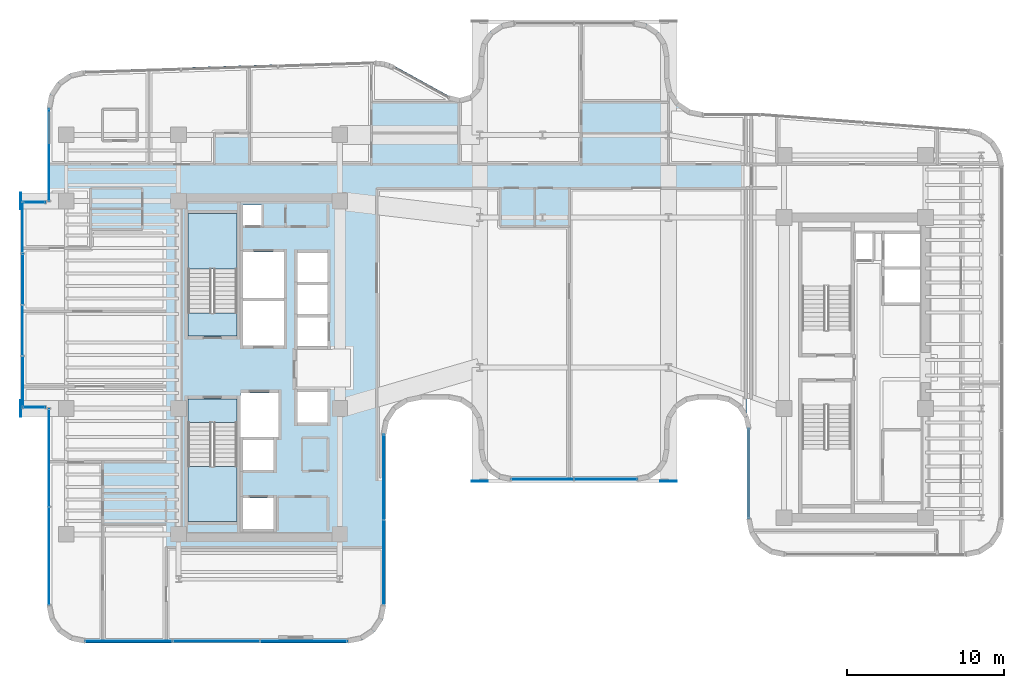
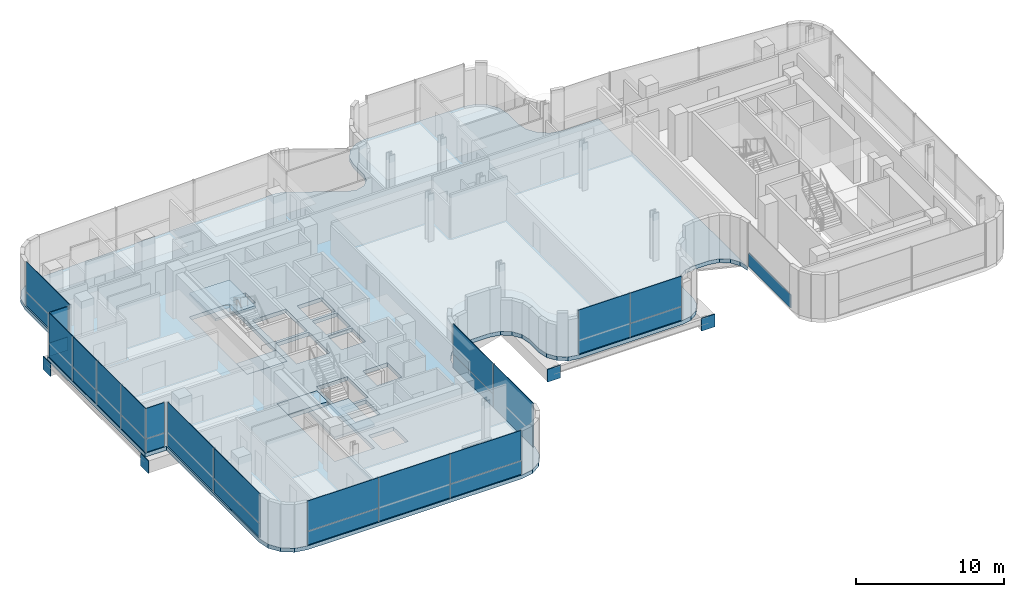
# One storey, part 24 of 38: 31 plates, 5 slabs, 11 elements without a shape of their own.
"""IFC4 building model written with IfcOpenShell, lengths in metres."""

from ifc_helpers import new_model, si_unit, direction, frame, origin, origin_2d, place, context, subcontext, project, spatial, polyline, rectangle, outline, extrude, source, transform, mapped, material, layer, layer_set, type_object, element, aggregate, save


model = new_model("IFC4")

# Units and contexts
model_context = context("Model", 3, precision=1e-05, world=origin(), true_north=direction((0.0, 1.0)))
body_context = subcontext(model_context, "Body", "Model", "MODEL_VIEW")
ifc_project = project(units=[si_unit("LENGTHUNIT", "METRE"), si_unit("AREAUNIT", "SQUARE_METRE"), si_unit("VOLUMEUNIT", "CUBIC_METRE"), si_unit("PLANEANGLEUNIT", "RADIAN"), si_unit("MASSUNIT", "GRAM", prefix="KILO")], contexts=[model_context])

# Site, building, storey
site_placement = place(None, origin())
site = spatial("IfcSite", under=ifc_project, at=site_placement, CompositionType="ELEMENT")
building_placement = place(site_placement, origin())
building = spatial("IfcBuilding", under=site, at=building_placement, Name="Valdorenza Pilgrim Sanctuary Tower", CompositionType="ELEMENT")
storey_placement = place(building_placement, frame((0.0, 0.0, 180.5)))
storey = spatial("IfcBuildingStorey", under=building, at=storey_placement, Name="L46", CompositionType="ELEMENT", Elevation=180.5)

# Slab
ifc_material_1 = material(Name="Concrete C40/50", Category="concrete")
ifc_layer_1 = layer(ifc_material_1, 0.320068359375, Name="Concrete C40/50")
ifc_layer_set_1 = layer_set([ifc_layer_1], Name="Concrete C40/50")
slab_type_1 = type_object("IfcSlabType", Name="SLAB-PRY-320", PredefinedType="FLOOR", material=ifc_layer_set_1)
slab_1_placement = place(storey_placement, frame((0.0, 0.0, -0.320068359375)))
element("IfcSlab", 1, at=slab_1_placement, inside=storey, type_object=slab_type_1, Name="L46 Structural Floor Slab 1", PredefinedType="FLOOR", context=body_context, shape_type="SweptSolid", body=[
    extrude(outline(polyline([(-30.324462890625, 18.14599609375), (-29.572265625, 18.671142578125), (-28.677978515625, 18.87548828125), (-10.157958984375, 19.478515625), (-9.837158203125, 19.467529296875), (-9.520751953125, 19.413818359375), (-9.214111328125, 19.318359375), (-8.923095703125, 19.182861328125), (-5.43115234375, 17.26220703125), (-4.782958984375, 17.10107421875), (-4.139892578125, 17.2822265625), (-3.671142578125, 17.75830078125), (-3.5, 18.404052734375), (-3.5, 19.7958984375), (-3.332275390625, 20.639404296875), (-2.8544921875, 21.3544921875), (-2.139404296875, 21.832275390625), (-1.2958984375, 22.0), (6.2958984375, 22.0), (7.139404296875, 21.832275390625), (7.8544921875, 21.3544921875), (8.332275390625, 20.639404296875), (8.5, 19.7958984375), (8.5, 18.404052734375), (8.667724609375, 17.560546875), (9.1455078125, 16.845458984375), (9.860595703125, 16.367919921875), (10.7041015625, 16.199951171875), (13.5, 16.199951171875), (13.5, -3.89990234375), (13.35546875, -3.1728515625), (12.943603515625, -2.556396484375), (12.3271484375, -2.14453125), (11.60009765625, -2.0), (10.39990234375, -2.0), (9.6728515625, -2.14453125), (9.056396484375, -2.556396484375), (8.64453125, -3.1728515625), (8.5, -3.89990234375), (8.5, -5.22412109375), (8.349609375, -5.980224609375), (7.921142578125, -6.62109375), (7.2802734375, -7.049560546875), (6.52392578125, -7.199951171875), (-1.52392578125, -7.199951171875), (-2.2802734375, -7.049560546875), (-2.921142578125, -6.62109375), (-3.349609375, -5.980224609375), (-3.5, -5.22412109375), (-3.5, -3.97607421875), (-3.650390625, -3.2197265625), (-4.078857421875, -2.578857421875), (-4.7197265625, -2.150390625), (-5.47607421875, -2.0), (-7.219970703125, -2.0), (-8.092529296875, -2.173583984375), (-8.832275390625, -2.667724609375), (-9.326416015625, -3.407470703125), (-9.5, -4.280029296875), (-9.5, -15.10009765625), (-9.6826171875, -16.018310546875), (-10.202880859375, -16.797119140625), (-10.981689453125, -17.3173828125), (-11.89990234375, -17.5), (-28.60009765625, -17.5), (-29.518310546875, -17.3173828125), (-30.297119140625, -16.797119140625), (-30.8173828125, -16.018310546875), (-31.0, -15.10009765625), (-31.0, -2.60009765625), (-32.64990234375, -2.60009765625), (-32.64990234375, 10.60009765625), (-31.0, 10.60009765625), (-31.0, 16.476806640625), (-30.82470703125, 17.377197265625), (-30.324462890625, 18.14599609375)]), holes=[polyline([(-16.60009765625, -10.25), (-16.60009765625, -8.300048828125), (-18.550048828125, -8.300048828125), (-18.550048828125, -10.25), (-16.60009765625, -10.25)]), polyline([(-22.050048828125, -9.800048828125), (-18.93994140625, -9.800048828125), (-18.93994140625, -3.485107421875), (-18.93994140625, -2.0), (-22.050048828125, -2.0), (-22.050048828125, -3.485107421875), (-22.050048828125, -9.800048828125)]), polyline([(-16.60009765625, -6.5), (-16.60009765625, -4.60009765625), (-18.550048828125, -4.60009765625), (-18.550048828125, -6.5), (-16.60009765625, -6.5)]), polyline([(-18.719970703125, -4.39990234375), (-16.300048828125, -4.39990234375), (-16.300048828125, -1.60009765625), (-18.719970703125, -1.60009765625), (-18.719970703125, -4.39990234375)]), polyline([(-13.179931640625, 1.35009765625), (-13.179931640625, 3.199951171875), (-15.10009765625, 3.199951171875), (-15.10009765625, 1.35009765625), (-13.179931640625, 1.35009765625)]), polyline([(-22.050048828125, 2.0), (-18.93994140625, 2.0), (-18.93994140625, 3.485107421875), (-18.93994140625, 9.800048828125), (-22.050048828125, 9.800048828125), (-22.050048828125, 3.485107421875), (-22.050048828125, 2.0)]), polyline([(-15.949951171875, 1.39990234375), (-15.949951171875, 4.22509765625), (-18.550048828125, 4.22509765625), (-18.550048828125, 1.39990234375), (-15.949951171875, 1.39990234375)]), polyline([(-18.550048828125, 4.425048828125), (-15.949951171875, 4.425048828125), (-15.949951171875, 7.35009765625), (-18.550048828125, 7.35009765625), (-18.550048828125, 4.425048828125)]), polyline([(-17.360107421875, 9.030029296875), (-17.360107421875, 10.35009765625), (-18.570068359375, 10.35009765625), (-18.570068359375, 9.030029296875), (-17.360107421875, 9.030029296875)]), polyline([(-13.179931640625, -3.5), (-13.179931640625, -1.550048828125), (-15.10009765625, -1.550048828125), (-15.10009765625, -3.5), (-13.179931640625, -3.5)]), polyline([(-13.179931640625, 3.39990234375), (-13.179931640625, 5.25), (-15.10009765625, 5.25), (-15.10009765625, 3.39990234375), (-13.179931640625, 3.39990234375)]), polyline([(-13.179931640625, 5.449951171875), (-13.179931640625, 7.300048828125), (-15.10009765625, 7.300048828125), (-15.10009765625, 5.449951171875), (-13.179931640625, 5.449951171875)])]), origin(), (0.0, 0.0, 1.0), 0.320068359375),
])

# Stair, slab
stair_type = type_object("IfcStairType", Name="STR-DOG-CORE", PredefinedType="HALF_TURN_STAIR", material=ifc_material_1)
stair_1_placement = place(storey_placement, origin())
stair_1 = element("IfcStair", 2, at=stair_1_placement, inside=storey, type_object=stair_type, Name="L46 ST-A1", PredefinedType="HALF_TURN_STAIR")
ifc_layer_2 = layer(ifc_material_1, 0.199951171875, Name="Concrete C40/50")
ifc_layer_set_2 = layer_set([ifc_layer_2], Name="Concrete C40/50")
slab_type_2 = type_object("IfcSlabType", Name="SLAB-STL-200", PredefinedType="LANDING", material=ifc_layer_set_2)
slab_2_placement = place(storey_placement, frame((0.0, 0.0, 1.77490234375)))
slab_2 = element("IfcSlab", 3, at=slab_2_placement, type_object=slab_type_2, Name="ST-A1 landing 1", PredefinedType="LANDING", context=body_context, shape_type="SweptSolid", body=[
    extrude(outline(polyline([(-18.93994140625, 6.280029296875), (-18.93994140625, 9.800048828125), (-22.050048828125, 9.800048828125), (-22.050048828125, 6.280029296875), (-18.93994140625, 6.280029296875)])), origin(), (0.0, 0.0, 1.0), 0.2001953125),
])
aggregate(stair_1, [slab_2])

stair_2_placement = place(storey_placement, origin())
stair_2 = element("IfcStair", 4, at=stair_2_placement, inside=storey, type_object=stair_type, Name="L46 ST-A2", PredefinedType="HALF_TURN_STAIR")
slab_3_placement = place(storey_placement, frame((0.0, 0.0, 1.77490234375)))
slab_3 = element("IfcSlab", 5, at=slab_3_placement, type_object=slab_type_2, Name="ST-A2 landing 1", PredefinedType="LANDING", context=body_context, shape_type="SweptSolid", body=[
    extrude(outline(polyline([(-22.050048828125, -6.280029296875), (-22.050048828125, -9.800048828125), (-18.93994140625, -9.800048828125), (-18.93994140625, -6.280029296875), (-22.050048828125, -6.280029296875)])), origin(), (0.0, 0.0, 1.0), 0.2001953125),
])
aggregate(stair_2, [slab_3])

# Slabs
ifc_material_2 = material(Name="Concrete C50/60", Category="concrete")
ifc_layer_3 = layer(ifc_material_2, 0.39990234375, Name="Concrete C50/60")
ifc_layer_set_3 = layer_set([ifc_layer_3], Name="Concrete C50/60")
slab_type_3 = type_object("IfcSlabType", Name="SLAB-TRF-400", PredefinedType="FLOOR", material=ifc_layer_set_3)
slab_4_placement = place(storey_placement, frame((0.0, 0.0, -0.360107421875)))
element("IfcSlab", 6, at=slab_4_placement, inside=storey, type_object=slab_type_3, Name="L46 ST-A1 Structural Stair Landing Bearing Slab", PredefinedType="FLOOR", context=body_context, shape_type="SweptSolid", body=[
    extrude(outline(polyline([(-22.050048828125, 2.0), (-18.93994140625, 2.0), (-18.93994140625, 3.485107421875), (-22.050048828125, 3.485107421875), (-22.050048828125, 2.0)])), origin(), (0.0, 0.0, 1.0), 0.360107421875),
])
slab_5_placement = place(storey_placement, frame((0.0, 0.0, -0.360107421875)))
element("IfcSlab", 7, at=slab_5_placement, inside=storey, type_object=slab_type_3, Name="L46 ST-A2 Structural Stair Landing Bearing Slab", PredefinedType="FLOOR", context=body_context, shape_type="SweptSolid", body=[
    extrude(outline(polyline([(-22.050048828125, -3.485107421875), (-18.93994140625, -3.485107421875), (-18.93994140625, -2.0), (-22.050048828125, -2.0), (-22.050048828125, -3.485107421875)])), origin(), (0.0, 0.0, 1.0), 0.360107421875),
])

# Plates
ifc_material_3 = material(Name="Steel ASTM A572 Grade 42", Category="steel")
ifc_layer_4 = layer(ifc_material_3, 0.06005859375, Name="Steel ASTM A572 Grade 42")
ifc_layer_set_4 = layer_set([ifc_layer_4], Name="Steel ASTM A572 Grade 42")
plate_type_1 = type_object("IfcPlateType", Name="PLT-CAP-60", PredefinedType="SHEET", material=ifc_layer_set_4)
shared_shape_1 = source(origin(), body_context, "Body", "SweptSolid", [
    extrude(rectangle(XDim=0.06005859375, YDim=1.0400390625, at=origin_2d()), origin(), (0.0, 0.0, 1.0), 1.0400390625),
])
for number, where, z_axis, x_axis, name in (
    (8, (-32.679931640625, 10.60009765625, -1.340087890625), (0.0, 0.0, 1.0), (1.0, 0.0, 0.0), "L46 BOX-WA-L46 Cantilever Tip End Cap N"),
    (9, (-32.679931640625, -2.60009765625, -1.340087890625), (0.0, 0.0, 1.0), (1.0, 0.0, 0.0), "L46 BOX-WA-L46 Cantilever Tip End Cap S"),
):
    element("IfcPlate", number, at=place(storey_placement, frame(where, z_axis=z_axis, x_axis=x_axis)), inside=storey, type_object=plate_type_1, Name=name, PredefinedType="SHEET", context=body_context, shape_type="MappedRepresentation", body=[
        mapped(shared_shape_1, transform((0.0, 0.0, 0.0), x_axis=(1.0, 0.0, 0.0), y_axis=(0.0, 1.0, 0.0), z_axis=(0.0, 0.0, 1.0), scale=1.0)),
    ])
shared_shape_2 = source(origin(), body_context, "Body", "SweptSolid", [
    extrude(rectangle(XDim=1.0400390625, YDim=0.06005859375, at=origin_2d()), origin(), (0.0, 0.0, 1.0), 1.0400390625),
])
for number, where, z_axis, x_axis, name in (
    (10, (-3.5, -7.22998046875, -1.340087890625), (0.0, 0.0, 1.0), (1.0, 0.0, 0.0), "L46 South Prow Cantilever End Cap W"),
    (11, (8.5, -7.22998046875, -1.340087890625), (0.0, 0.0, 1.0), (1.0, 0.0, 0.0), "L46 South Prow Cantilever End Cap E"),
):
    element("IfcPlate", number, at=place(storey_placement, frame(where, z_axis=z_axis, x_axis=x_axis)), inside=storey, type_object=plate_type_1, Name=name, PredefinedType="SHEET", context=body_context, shape_type="MappedRepresentation", body=[
        mapped(shared_shape_2, transform((0.0, 0.0, 0.0), x_axis=(1.0, 0.0, 0.0), y_axis=(0.0, 1.0, 0.0), z_axis=(0.0, 0.0, 1.0), scale=1.0)),
    ])

# Curtain wall, plate
ifc_material_4 = material(Name="Curtain-wall IGU glazing", Category="glass")
curtain_wall_type_1 = type_object("IfcCurtainWallType", Name="CW-SYS-05", PredefinedType="NOTDEFINED", material=ifc_material_4)
curtain_wall_1_placement = place(storey_placement, origin())
curtain_wall_1 = element("IfcCurtainWall", 12, at=curtain_wall_1_placement, inside=storey, type_object=curtain_wall_type_1, Name="L46 Curtain Wall CW-L46-1-47", PredefinedType="NOTDEFINED")
ifc_material_5 = material(Name="Honed travertine limestone", Category="masonry")
ifc_layer_5 = layer(ifc_material_5, 0.050048828125, Name="Honed travertine limestone")
ifc_layer_set_5 = layer_set([ifc_layer_5], Name="Honed travertine limestone")
plate_type_2 = type_object("IfcPlateType", Name="CW-SPN-TRV", PredefinedType="USERDEFINED", material=ifc_layer_set_5)
shared_shape_3 = source(origin(), body_context, "Body", "SweptSolid", [
    extrude(rectangle(XDim=5.679931640625, YDim=0.06005859375, at=origin_2d()), origin(), (0.0, 0.0, 1.0), 1.10009765625),
])
plate_1_placement = place(storey_placement, frame((13.610107421875, -6.7392578125, 0.010009765625), z_axis=(0.0, 0.0, 1.0), x_axis=(0.0, 1.0, 0.0)))
plate_1 = element("IfcPlate", 13, at=plate_1_placement, type_object=plate_type_2, Name="CW-L46-1-47 Travertine Spandrel 1", ObjectType="SPANDREL", PredefinedType="USERDEFINED", context=body_context, shape_type="MappedRepresentation", body=[
    mapped(shared_shape_3, transform((0.0, 0.0, 0.0), x_axis=(1.0, 0.0, 0.0), y_axis=(0.0, 1.0, 0.0), z_axis=(0.0, 0.0, 1.0), scale=1.0)),
])
aggregate(curtain_wall_1, [plate_1])

curtain_wall_type_2 = type_object("IfcCurtainWallType", Name="CW-SYS-02", PredefinedType="NOTDEFINED", material=ifc_material_4)
curtain_wall_2_placement = place(storey_placement, origin())
curtain_wall_2 = element("IfcCurtainWall", 14, at=curtain_wall_2_placement, inside=storey, type_object=curtain_wall_type_2, Name="L46 Curtain Wall CW-L46-BOX-WA-L46-S", PredefinedType="NOTDEFINED")
shared_shape_4 = source(origin(), body_context, "Body", "SweptSolid", [
    extrude(rectangle(XDim=1.43994140625, YDim=0.06005859375, at=origin_2d()), origin(), (0.0, 0.0, 1.0), 1.10009765625),
])
plate_2_placement = place(storey_placement, frame((-31.840087890625, -2.52001953125, 0.010009765625), z_axis=(0.0, 0.0, 1.0), x_axis=(-1.0, 0.0, 0.0)))
plate_2 = element("IfcPlate", 15, at=plate_2_placement, type_object=plate_type_2, Name="CW-L46-BOX-WA-L46-S Travertine Spandrel 1", ObjectType="SPANDREL", PredefinedType="USERDEFINED", context=body_context, shape_type="MappedRepresentation", body=[
    mapped(shared_shape_4, transform((0.0, 0.0, 0.0), x_axis=(1.0, 0.0, 0.0), y_axis=(0.0, 1.0, 0.0), z_axis=(0.0, 0.0, 1.0), scale=1.0)),
])

curtain_wall_3_placement = place(storey_placement, origin())
curtain_wall_3 = element("IfcCurtainWall", 16, at=curtain_wall_3_placement, inside=storey, type_object=curtain_wall_type_2, Name="L46 Curtain Wall CW-L46-BOX-WA-L46-N", PredefinedType="NOTDEFINED")
plate_3_placement = place(storey_placement, frame((-31.840087890625, 10.52001953125, 0.010009765625), z_axis=(0.0, 0.0, 1.0), x_axis=(1.0, 0.0, 0.0)))
plate_3 = element("IfcPlate", 17, at=plate_3_placement, type_object=plate_type_2, Name="CW-L46-BOX-WA-L46-N Travertine Spandrel 1", ObjectType="SPANDREL", PredefinedType="USERDEFINED", context=body_context, shape_type="MappedRepresentation", body=[
    mapped(shared_shape_4, transform((0.0, 0.0, 0.0), x_axis=(1.0, 0.0, 0.0), y_axis=(0.0, 1.0, 0.0), z_axis=(0.0, 0.0, 1.0), scale=1.0)),
])

# Curtain wall, plates
curtain_wall_4_placement = place(storey_placement, origin())
curtain_wall_4 = element("IfcCurtainWall", 18, at=curtain_wall_4_placement, inside=storey, type_object=curtain_wall_type_2, Name="L46 Curtain Wall CW-L46-BOX-WA-L46-F", PredefinedType="NOTDEFINED")
shared_shape_5 = source(origin(), body_context, "Body", "SweptSolid", [
    extrude(rectangle(XDim=3.239990234375, YDim=0.06005859375, at=origin_2d()), origin(), (0.0, 0.0, 1.0), 1.10009765625),
])
plate_4_placement = place(storey_placement, frame((-32.570068359375, -0.889892578125, 0.010009765625), z_axis=(0.0, 0.0, 1.0), x_axis=(0.0, 1.0, 0.0)))
plate_4 = element("IfcPlate", 19, at=plate_4_placement, type_object=plate_type_2, Name="CW-L46-BOX-WA-L46-F Travertine Spandrel 1", ObjectType="SPANDREL", PredefinedType="USERDEFINED", context=body_context, shape_type="MappedRepresentation", body=[
    mapped(shared_shape_5, transform((0.0, 0.0, 0.0), x_axis=(1.0, 0.0, 0.0), y_axis=(0.0, 1.0, 0.0), z_axis=(0.0, 0.0, 1.0), scale=1.0)),
])
plate_5_placement = place(storey_placement, frame((-32.570068359375, 5.6298828125, 0.010009765625), z_axis=(0.0, 0.0, 1.0), x_axis=(0.0, 1.0, 0.0)))
plate_5 = element("IfcPlate", 20, at=plate_5_placement, type_object=plate_type_2, Name="CW-L46-BOX-WA-L46-F Travertine Spandrel 3", ObjectType="SPANDREL", PredefinedType="USERDEFINED", context=body_context, shape_type="MappedRepresentation", body=[
    mapped(shared_shape_5, transform((0.0, 0.0, 0.0), x_axis=(1.0, 0.0, 0.0), y_axis=(0.0, 1.0, 0.0), z_axis=(0.0, 0.0, 1.0), scale=1.0)),
])

# Curtain wall, plate
curtain_wall_5_placement = place(storey_placement, origin())
curtain_wall_5 = element("IfcCurtainWall", 21, at=curtain_wall_5_placement, inside=storey, type_object=curtain_wall_type_2, Name="L46 Curtain Wall CW-L46-1-1S1", PredefinedType="NOTDEFINED")
shared_shape_6 = source(origin(), body_context, "Body", "SweptSolid", [
    extrude(rectangle(XDim=6.224609375, YDim=0.06005859375, at=origin_2d()), origin(), (0.0, 0.0, 1.0), 1.10009765625),
])
plate_6_placement = place(storey_placement, frame((-30.889892578125, -11.966796875, 0.010009765625), z_axis=(0.0, 0.0, 1.0), x_axis=(0.0, 1.0, 0.0)))
plate_6 = element("IfcPlate", 22, at=plate_6_placement, type_object=plate_type_2, Name="CW-L46-1-1S1 Travertine Spandrel 1", ObjectType="SPANDREL", PredefinedType="USERDEFINED", context=body_context, shape_type="MappedRepresentation", body=[
    mapped(shared_shape_6, transform((0.0, 0.0, 0.0), x_axis=(1.0, 0.0, 0.0), y_axis=(0.0, 1.0, 0.0), z_axis=(0.0, 0.0, 1.0), scale=1.0)),
])

curtain_wall_6_placement = place(storey_placement, origin())
curtain_wall_6 = element("IfcCurtainWall", 23, at=curtain_wall_6_placement, inside=storey, type_object=curtain_wall_type_2, Name="L46 Curtain Wall CW-L46-1-1S2", PredefinedType="NOTDEFINED")
shared_shape_7 = source(origin(), body_context, "Body", "SweptSolid", [
    extrude(rectangle(XDim=5.84619140625, YDim=0.06005859375, at=origin_2d()), origin(), (0.0, 0.0, 1.0), 1.10009765625),
])
plate_7_placement = place(storey_placement, frame((-30.889892578125, 13.533203125, 0.010009765625), z_axis=(0.0, 0.0, 1.0), x_axis=(0.0, 1.0, 0.0)))
plate_7 = element("IfcPlate", 24, at=plate_7_placement, type_object=plate_type_2, Name="CW-L46-1-1S2 Travertine Spandrel 1", ObjectType="SPANDREL", PredefinedType="USERDEFINED", context=body_context, shape_type="MappedRepresentation", body=[
    mapped(shared_shape_7, transform((0.0, 0.0, 0.0), x_axis=(1.0, 0.0, 0.0), y_axis=(0.0, 1.0, 0.0), z_axis=(0.0, 0.0, 1.0), scale=1.0)),
])

curtain_wall_7_placement = place(storey_placement, origin())
curtain_wall_7 = element("IfcCurtainWall", 25, at=curtain_wall_7_placement, inside=storey, type_object=curtain_wall_type_1, Name="L46 Curtain Wall CW-L46-1-62", PredefinedType="NOTDEFINED")
shared_shape_8 = source(origin(), body_context, "Body", "SweptSolid", [
    extrude(rectangle(XDim=3.9931640625, YDim=0.06005859375, at=origin_2d()), origin(), (0.0, 0.0, 1.0), 1.10009765625),
])
plate_8_placement = place(storey_placement, frame((4.506591796875, -7.090087890625, 0.010009765625), z_axis=(0.0, 0.0, 1.0), x_axis=(-1.0, 0.0, 0.0)))
plate_8 = element("IfcPlate", 26, at=plate_8_placement, type_object=plate_type_2, Name="CW-L46-1-62 Travertine Spandrel 1", ObjectType="SPANDREL", PredefinedType="USERDEFINED", context=body_context, shape_type="MappedRepresentation", body=[
    mapped(shared_shape_8, transform((0.0, 0.0, 0.0), x_axis=(1.0, 0.0, 0.0), y_axis=(0.0, 1.0, 0.0), z_axis=(0.0, 0.0, 1.0), scale=1.0)),
])

curtain_wall_8_placement = place(storey_placement, origin())
curtain_wall_8 = element("IfcCurtainWall", 27, at=curtain_wall_8_placement, inside=storey, type_object=curtain_wall_type_1, Name="L46 Curtain Wall CW-L46-1-77", PredefinedType="NOTDEFINED")
shared_shape_9 = source(origin(), body_context, "Body", "SweptSolid", [
    extrude(rectangle(XDim=5.389892578125, YDim=0.06005859375, at=origin_2d()), origin(), (0.0, 0.0, 1.0), 1.10009765625),
])
plate_9_placement = place(storey_placement, frame((-9.610107421875, -6.97412109375, 0.010009765625), z_axis=(0.0, 0.0, 1.0), x_axis=(0.0, -1.0, 0.0)))
plate_9 = element("IfcPlate", 28, at=plate_9_placement, type_object=plate_type_2, Name="CW-L46-1-77 Travertine Spandrel 1", ObjectType="SPANDREL", PredefinedType="USERDEFINED", context=body_context, shape_type="MappedRepresentation", body=[
    mapped(shared_shape_9, transform((0.0, 0.0, 0.0), x_axis=(1.0, 0.0, 0.0), y_axis=(0.0, 1.0, 0.0), z_axis=(0.0, 0.0, 1.0), scale=1.0)),
])

# Curtain wall, plates
curtain_wall_9_placement = place(storey_placement, origin())
curtain_wall_9 = element("IfcCurtainWall", 29, at=curtain_wall_9_placement, inside=storey, type_object=curtain_wall_type_2, Name="L46 Curtain Wall CW-L46-1-82", PredefinedType="NOTDEFINED")
shared_shape_10 = source(origin(), body_context, "Body", "SweptSolid", [
    extrude(rectangle(XDim=5.53955078125, YDim=0.06005859375, at=origin_2d()), origin(), (0.0, 0.0, 1.0), 1.10009765625),
])
plate_10_placement = place(storey_placement, frame((-14.6904296875, -17.389892578125, 0.010009765625), z_axis=(0.0, 0.0, 1.0), x_axis=(-1.0, 0.0, 0.0)))
plate_10 = element("IfcPlate", 30, at=plate_10_placement, type_object=plate_type_2, Name="CW-L46-1-82 Travertine Spandrel 1", ObjectType="SPANDREL", PredefinedType="USERDEFINED", context=body_context, shape_type="MappedRepresentation", body=[
    mapped(shared_shape_10, transform((0.0, 0.0, 0.0), x_axis=(1.0, 0.0, 0.0), y_axis=(0.0, 1.0, 0.0), z_axis=(0.0, 0.0, 1.0), scale=1.0)),
])
plate_11_placement = place(storey_placement, frame((-25.8095703125, -17.389892578125, 0.010009765625), z_axis=(0.0, 0.0, 1.0), x_axis=(-1.0, 0.0, 0.0)))
plate_11 = element("IfcPlate", 31, at=plate_11_placement, type_object=plate_type_2, Name="CW-L46-1-82 Travertine Spandrel 3", ObjectType="SPANDREL", PredefinedType="USERDEFINED", context=body_context, shape_type="MappedRepresentation", body=[
    mapped(shared_shape_10, transform((0.0, 0.0, 0.0), x_axis=(1.0, 0.0, 0.0), y_axis=(0.0, 1.0, 0.0), z_axis=(0.0, 0.0, 1.0), scale=1.0)),
])

# Plate
ifc_material_6 = material(Name="Ceramic-fritted low-E IGU glazing", Category="glass")
ifc_layer_6 = layer(ifc_material_6, 0.035888671875, Name="Ceramic-fritted low-E IGU glazing")
ifc_layer_set_6 = layer_set([ifc_layer_6], Name="Ceramic-fritted low-E IGU glazing")
plate_type_3 = type_object("IfcPlateType", Name="CW-GLZ-IGU", PredefinedType="USERDEFINED", material=ifc_layer_set_6)
shared_shape_11 = source(origin(), body_context, "Body", "SweptSolid", [
    extrude(rectangle(XDim=6.224609375, YDim=0.050048828125, at=origin_2d()), origin(), (0.0, 0.0, 1.0), 2.489990234375),
])
plate_12_placement = place(storey_placement, frame((-30.889892578125, -11.966796875, 1.1298828125), z_axis=(0.0, 0.0, 1.0), x_axis=(0.0, 1.0, 0.0)))
plate_12 = element("IfcPlate", 32, at=plate_12_placement, type_object=plate_type_3, Name="CW-L46-1-1S1 Facade Panel 1", ObjectType="GLAZING", PredefinedType="USERDEFINED", context=body_context, shape_type="MappedRepresentation", body=[
    mapped(shared_shape_11, transform((0.0, 0.0, 0.0), x_axis=(1.0, 0.0, 0.0), y_axis=(0.0, 1.0, 0.0), z_axis=(0.0, 0.0, 1.0), scale=1.0)),
])

shared_shape_12 = source(origin(), body_context, "Body", "SweptSolid", [
    extrude(rectangle(XDim=6.224609375, YDim=0.050048828125, at=origin_2d()), origin(), (0.0, 0.0, 1.0), 3.610107421875),
])
plate_13_placement = place(storey_placement, frame((-30.889892578125, -5.722412109375, 0.009765625), z_axis=(0.0, 0.0, 1.0), x_axis=(0.0, 1.0, 0.0)))
plate_13 = element("IfcPlate", 33, at=plate_13_placement, type_object=plate_type_3, Name="CW-L46-1-1S1 Full-Height Facade Panel 2", ObjectType="GLAZING", PredefinedType="USERDEFINED", context=body_context, shape_type="MappedRepresentation", body=[
    mapped(shared_shape_12, transform((0.0, 0.0, 0.0), x_axis=(1.0, 0.0, 0.0), y_axis=(0.0, 1.0, 0.0), z_axis=(0.0, 0.0, 1.0), scale=1.0)),
])

aggregate(curtain_wall_5, [plate_6, plate_12, plate_13])

shared_shape_13 = source(origin(), body_context, "Body", "SweptSolid", [
    extrude(rectangle(XDim=5.84619140625, YDim=0.050048828125, at=origin_2d()), origin(), (0.0, 0.0, 1.0), 2.489990234375),
])
plate_14_placement = place(storey_placement, frame((-30.889892578125, 13.533203125, 1.1298828125), z_axis=(0.0, 0.0, 1.0), x_axis=(0.0, 1.0, 0.0)))
plate_14 = element("IfcPlate", 34, at=plate_14_placement, type_object=plate_type_3, Name="CW-L46-1-1S2 Facade Panel 1", ObjectType="GLAZING", PredefinedType="USERDEFINED", context=body_context, shape_type="MappedRepresentation", body=[
    mapped(shared_shape_13, transform((0.0, 0.0, 0.0), x_axis=(1.0, 0.0, 0.0), y_axis=(0.0, 1.0, 0.0), z_axis=(0.0, 0.0, 1.0), scale=1.0)),
])

aggregate(curtain_wall_6, [plate_7, plate_14])

shared_shape_14 = source(origin(), body_context, "Body", "SweptSolid", [
    extrude(rectangle(XDim=3.9931640625, YDim=0.050048828125, at=origin_2d()), origin(), (0.0, 0.0, 1.0), 2.489990234375),
])
plate_15_placement = place(storey_placement, frame((4.506591796875, -7.090087890625, 1.1298828125), z_axis=(0.0, 0.0, 1.0), x_axis=(-1.0, 0.0, 0.0)))
plate_15 = element("IfcPlate", 35, at=plate_15_placement, type_object=plate_type_3, Name="CW-L46-1-62 Facade Panel 1", ObjectType="GLAZING", PredefinedType="USERDEFINED", context=body_context, shape_type="MappedRepresentation", body=[
    mapped(shared_shape_14, transform((0.0, 0.0, 0.0), x_axis=(1.0, 0.0, 0.0), y_axis=(0.0, 1.0, 0.0), z_axis=(0.0, 0.0, 1.0), scale=1.0)),
])

shared_shape_15 = source(origin(), body_context, "Body", "SweptSolid", [
    extrude(rectangle(XDim=3.9931640625, YDim=0.050048828125, at=origin_2d()), origin(), (0.0, 0.0, 1.0), 3.610107421875),
])
plate_16_placement = place(storey_placement, frame((0.493408203125, -7.090087890625, 0.009765625), z_axis=(0.0, 0.0, 1.0), x_axis=(-1.0, 0.0, 0.0)))
plate_16 = element("IfcPlate", 36, at=plate_16_placement, type_object=plate_type_3, Name="CW-L46-1-62 Full-Height Facade Panel 2", ObjectType="GLAZING", PredefinedType="USERDEFINED", context=body_context, shape_type="MappedRepresentation", body=[
    mapped(shared_shape_15, transform((0.0, 0.0, 0.0), x_axis=(1.0, 0.0, 0.0), y_axis=(0.0, 1.0, 0.0), z_axis=(0.0, 0.0, 1.0), scale=1.0)),
])

aggregate(curtain_wall_7, [plate_8, plate_15, plate_16])

shared_shape_16 = source(origin(), body_context, "Body", "SweptSolid", [
    extrude(rectangle(XDim=5.389892578125, YDim=0.050048828125, at=origin_2d()), origin(), (0.0, 0.0, 1.0), 2.489990234375),
])
plate_17_placement = place(storey_placement, frame((-9.610107421875, -6.97412109375, 1.1298828125), z_axis=(0.0, 0.0, 1.0), x_axis=(0.0, -1.0, 0.0)))
plate_17 = element("IfcPlate", 37, at=plate_17_placement, type_object=plate_type_3, Name="CW-L46-1-77 Facade Panel 1", ObjectType="GLAZING", PredefinedType="USERDEFINED", context=body_context, shape_type="MappedRepresentation", body=[
    mapped(shared_shape_16, transform((0.0, 0.0, 0.0), x_axis=(1.0, 0.0, 0.0), y_axis=(0.0, 1.0, 0.0), z_axis=(0.0, 0.0, 1.0), scale=1.0)),
])

shared_shape_17 = source(origin(), body_context, "Body", "SweptSolid", [
    extrude(rectangle(XDim=5.389892578125, YDim=0.050048828125, at=origin_2d()), origin(), (0.0, 0.0, 1.0), 3.610107421875),
])
plate_18_placement = place(storey_placement, frame((-9.610107421875, -12.38427734375, 0.009765625), z_axis=(0.0, 0.0, 1.0), x_axis=(0.0, -1.0, 0.0)))
plate_18 = element("IfcPlate", 38, at=plate_18_placement, type_object=plate_type_3, Name="CW-L46-1-77 Full-Height Facade Panel 2", ObjectType="GLAZING", PredefinedType="USERDEFINED", context=body_context, shape_type="MappedRepresentation", body=[
    mapped(shared_shape_17, transform((0.0, 0.0, 0.0), x_axis=(1.0, 0.0, 0.0), y_axis=(0.0, 1.0, 0.0), z_axis=(0.0, 0.0, 1.0), scale=1.0)),
])

aggregate(curtain_wall_8, [plate_9, plate_17, plate_18])

shared_shape_18 = source(origin(), body_context, "Body", "SweptSolid", [
    extrude(rectangle(XDim=5.53955078125, YDim=0.050048828125, at=origin_2d()), origin(), (0.0, 0.0, 1.0), 2.489990234375),
])
plate_19_placement = place(storey_placement, frame((-14.6904296875, -17.389892578125, 1.1298828125), z_axis=(0.0, 0.0, 1.0), x_axis=(-1.0, 0.0, 0.0)))
plate_19 = element("IfcPlate", 39, at=plate_19_placement, type_object=plate_type_3, Name="CW-L46-1-82 Facade Panel 1", ObjectType="GLAZING", PredefinedType="USERDEFINED", context=body_context, shape_type="MappedRepresentation", body=[
    mapped(shared_shape_18, transform((0.0, 0.0, 0.0), x_axis=(1.0, 0.0, 0.0), y_axis=(0.0, 1.0, 0.0), z_axis=(0.0, 0.0, 1.0), scale=1.0)),
])

plate_20_placement = place(storey_placement, frame((-25.8095703125, -17.389892578125, 1.1298828125), z_axis=(0.0, 0.0, 1.0), x_axis=(-1.0, 0.0, 0.0)))
plate_20 = element("IfcPlate", 40, at=plate_20_placement, type_object=plate_type_3, Name="CW-L46-1-82 Facade Panel 3", ObjectType="GLAZING", PredefinedType="USERDEFINED", context=body_context, shape_type="MappedRepresentation", body=[
    mapped(shared_shape_18, transform((0.0, 0.0, 0.0), x_axis=(1.0, 0.0, 0.0), y_axis=(0.0, 1.0, 0.0), z_axis=(0.0, 0.0, 1.0), scale=1.0)),
])

shared_shape_19 = source(origin(), body_context, "Body", "SweptSolid", [
    extrude(rectangle(XDim=5.53955078125, YDim=0.050048828125, at=origin_2d()), origin(), (0.0, 0.0, 1.0), 3.610107421875),
])
plate_21_placement = place(storey_placement, frame((-20.25, -17.389892578125, 0.009765625), z_axis=(0.0, 0.0, 1.0), x_axis=(-1.0, 0.0, 0.0)))
plate_21 = element("IfcPlate", 41, at=plate_21_placement, type_object=plate_type_3, Name="CW-L46-1-82 Full-Height Facade Panel 2", ObjectType="GLAZING", PredefinedType="USERDEFINED", context=body_context, shape_type="MappedRepresentation", body=[
    mapped(shared_shape_19, transform((0.0, 0.0, 0.0), x_axis=(1.0, 0.0, 0.0), y_axis=(0.0, 1.0, 0.0), z_axis=(0.0, 0.0, 1.0), scale=1.0)),
])

aggregate(curtain_wall_9, [plate_10, plate_19, plate_21, plate_11, plate_20])

shared_shape_20 = source(origin(), body_context, "Body", "SweptSolid", [
    extrude(rectangle(XDim=1.43994140625, YDim=0.050048828125, at=origin_2d()), origin(), (0.0, 0.0, 1.0), 2.489990234375),
])
plate_22_placement = place(storey_placement, frame((-31.840087890625, -2.52001953125, 1.1298828125), z_axis=(0.0, 0.0, 1.0), x_axis=(-1.0, 0.0, 0.0)))
plate_22 = element("IfcPlate", 42, at=plate_22_placement, type_object=plate_type_3, Name="CW-L46-BOX-WA-L46-S Facade Panel 1", ObjectType="GLAZING", PredefinedType="USERDEFINED", context=body_context, shape_type="MappedRepresentation", body=[
    mapped(shared_shape_20, transform((0.0, 0.0, 0.0), x_axis=(1.0, 0.0, 0.0), y_axis=(0.0, 1.0, 0.0), z_axis=(0.0, 0.0, 1.0), scale=1.0)),
])

aggregate(curtain_wall_2, [plate_2, plate_22])

plate_23_placement = place(storey_placement, frame((-31.840087890625, 10.52001953125, 1.1298828125), z_axis=(0.0, 0.0, 1.0), x_axis=(1.0, 0.0, 0.0)))
plate_23 = element("IfcPlate", 43, at=plate_23_placement, type_object=plate_type_3, Name="CW-L46-BOX-WA-L46-N Facade Panel 1", ObjectType="GLAZING", PredefinedType="USERDEFINED", context=body_context, shape_type="MappedRepresentation", body=[
    mapped(shared_shape_20, transform((0.0, 0.0, 0.0), x_axis=(1.0, 0.0, 0.0), y_axis=(0.0, 1.0, 0.0), z_axis=(0.0, 0.0, 1.0), scale=1.0)),
])

aggregate(curtain_wall_3, [plate_3, plate_23])

shared_shape_21 = source(origin(), body_context, "Body", "SweptSolid", [
    extrude(rectangle(XDim=3.239990234375, YDim=0.050048828125, at=origin_2d()), origin(), (0.0, 0.0, 1.0), 2.489990234375),
])
plate_24_placement = place(storey_placement, frame((-32.570068359375, -0.889892578125, 1.1298828125), z_axis=(0.0, 0.0, 1.0), x_axis=(0.0, 1.0, 0.0)))
plate_24 = element("IfcPlate", 44, at=plate_24_placement, type_object=plate_type_3, Name="CW-L46-BOX-WA-L46-F Facade Panel 1", ObjectType="GLAZING", PredefinedType="USERDEFINED", context=body_context, shape_type="MappedRepresentation", body=[
    mapped(shared_shape_21, transform((0.0, 0.0, 0.0), x_axis=(1.0, 0.0, 0.0), y_axis=(0.0, 1.0, 0.0), z_axis=(0.0, 0.0, 1.0), scale=1.0)),
])

plate_25_placement = place(storey_placement, frame((-32.570068359375, 5.6298828125, 1.1298828125), z_axis=(0.0, 0.0, 1.0), x_axis=(0.0, 1.0, 0.0)))
plate_25 = element("IfcPlate", 45, at=plate_25_placement, type_object=plate_type_3, Name="CW-L46-BOX-WA-L46-F Facade Panel 3", ObjectType="GLAZING", PredefinedType="USERDEFINED", context=body_context, shape_type="MappedRepresentation", body=[
    mapped(shared_shape_21, transform((0.0, 0.0, 0.0), x_axis=(1.0, 0.0, 0.0), y_axis=(0.0, 1.0, 0.0), z_axis=(0.0, 0.0, 1.0), scale=1.0)),
])

shared_shape_22 = source(origin(), body_context, "Body", "SweptSolid", [
    extrude(rectangle(XDim=3.239990234375, YDim=0.050048828125, at=origin_2d()), origin(), (0.0, 0.0, 1.0), 3.610107421875),
])
plate_26_placement = place(storey_placement, frame((-32.570068359375, 2.3701171875, 0.009765625), z_axis=(0.0, 0.0, 1.0), x_axis=(0.0, 1.0, 0.0)))
plate_26 = element("IfcPlate", 46, at=plate_26_placement, type_object=plate_type_3, Name="CW-L46-BOX-WA-L46-F Full-Height Facade Panel 2", ObjectType="GLAZING", PredefinedType="USERDEFINED", context=body_context, shape_type="MappedRepresentation", body=[
    mapped(shared_shape_22, transform((0.0, 0.0, 0.0), x_axis=(1.0, 0.0, 0.0), y_axis=(0.0, 1.0, 0.0), z_axis=(0.0, 0.0, 1.0), scale=1.0)),
])

plate_27_placement = place(storey_placement, frame((-32.570068359375, 8.889892578125, 0.009765625), z_axis=(0.0, 0.0, 1.0), x_axis=(0.0, 1.0, 0.0)))
plate_27 = element("IfcPlate", 47, at=plate_27_placement, type_object=plate_type_3, Name="CW-L46-BOX-WA-L46-F Full-Height Facade Panel 4", ObjectType="GLAZING", PredefinedType="USERDEFINED", context=body_context, shape_type="MappedRepresentation", body=[
    mapped(shared_shape_22, transform((0.0, 0.0, 0.0), x_axis=(1.0, 0.0, 0.0), y_axis=(0.0, 1.0, 0.0), z_axis=(0.0, 0.0, 1.0), scale=1.0)),
])

aggregate(curtain_wall_4, [plate_4, plate_24, plate_26, plate_5, plate_25, plate_27])

save(model, "model.ifc")
